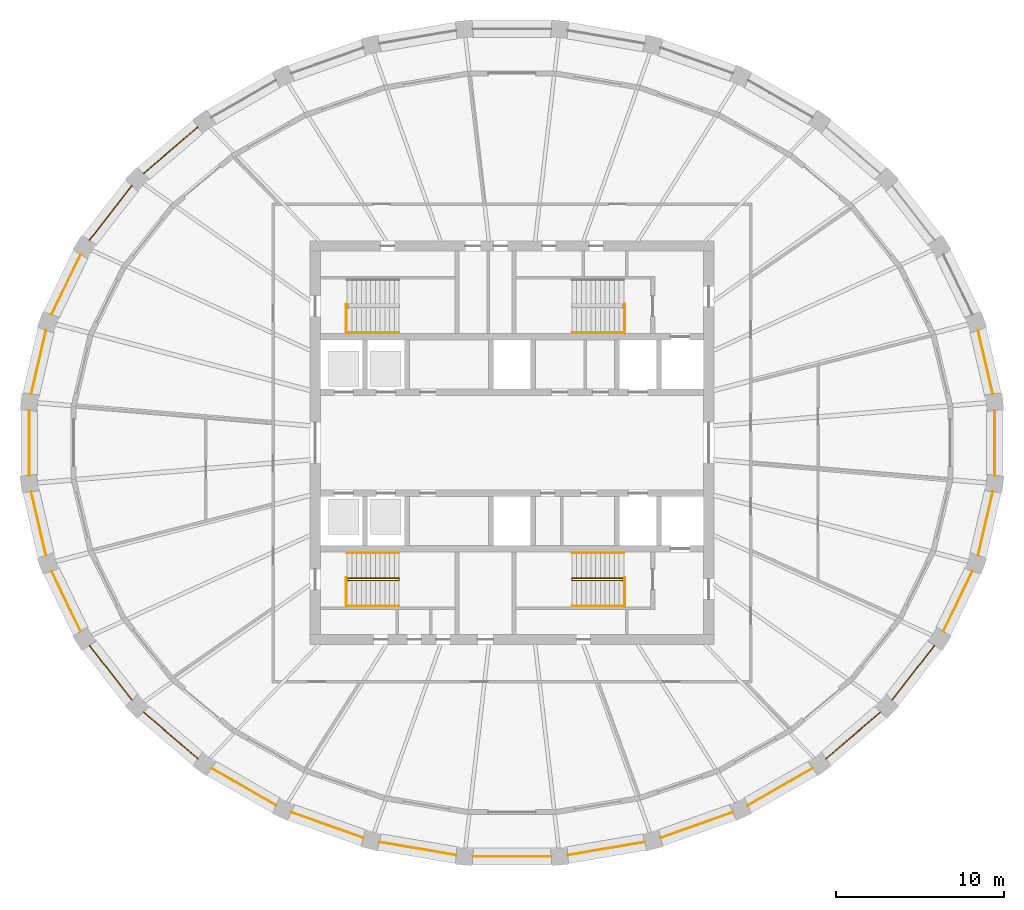
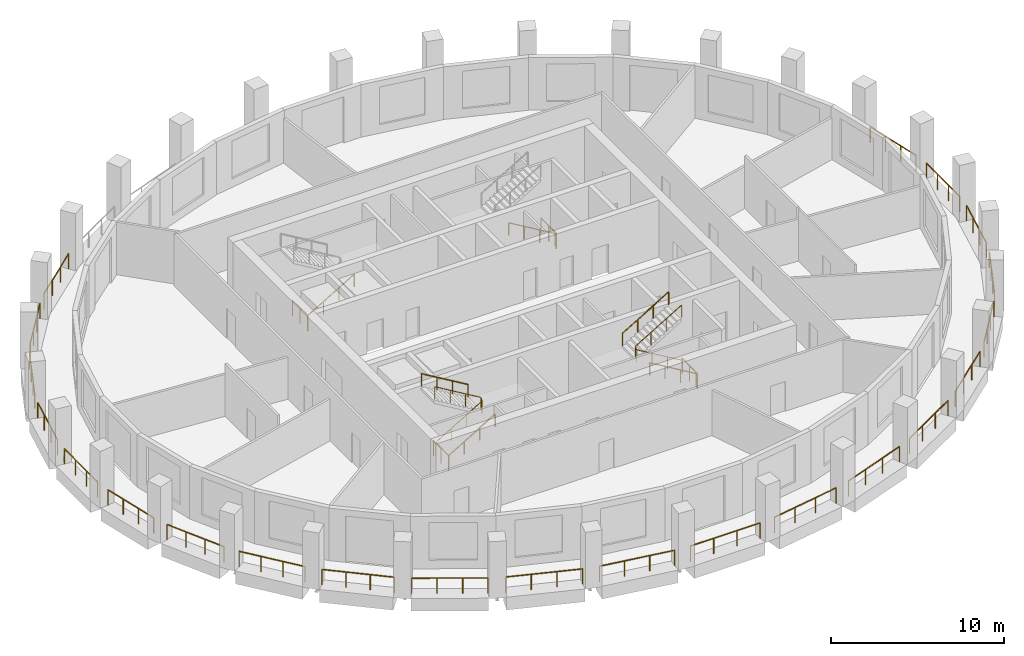
# One storey, part 8 of 10: 34 railings.
"""IFC4 building model written with IfcOpenShell, lengths in metres."""

from ifc_helpers import new_model, si_unit, direction, frame, origin, origin_2d, place, context, subcontext, project, spatial, circle, extrude, material, type_object, element, save


model = new_model("IFC4")

# Units and contexts
model_context = context("Model", 3, precision=1e-05, world=origin(), true_north=direction((0.0, 1.0)))
body_context = subcontext(model_context, "Body", "Model", "MODEL_VIEW")
ifc_project = project(units=[si_unit("LENGTHUNIT", "METRE"), si_unit("AREAUNIT", "SQUARE_METRE"), si_unit("VOLUMEUNIT", "CUBIC_METRE"), si_unit("PLANEANGLEUNIT", "RADIAN"), si_unit("MASSUNIT", "GRAM", prefix="KILO")], contexts=[model_context])

# Site, building, storey
site_placement = place(None, origin())
site = spatial("IfcSite", under=ifc_project, at=site_placement, CompositionType="ELEMENT")
building_placement = place(site_placement, origin())
building = spatial("IfcBuilding", under=site, at=building_placement, Name="Halqa Exchange Tower", CompositionType="ELEMENT")
storey_placement = place(building_placement, frame((0.0, 0.0, 304.300048828125)))
storey = spatial("IfcBuildingStorey", under=building, at=storey_placement, Name="L71", CompositionType="ELEMENT", Elevation=304.300048828125)

# Railings
ifc_material = material(Name="Stainless steel", Category="steel")
railing_type_1 = type_object("IfcRailingType", Name="Guard 1100 stainless steel", PredefinedType="GUARDRAIL", material=ifc_material)
railing_1_placement = place(storey_placement, frame((28.590087890625, 2.910400390625, 0.0)))
element("IfcRailing", 1, at=railing_1_placement, inside=storey, type_object=railing_type_1, Name="Loggia guard 1", PredefinedType="GUARDRAIL", context=body_context, shape_type="SweptSolid", body=[
    extrude(circle(Radius=0.02392578125, at=origin_2d()), frame((0.0, 0.0, 1.076171875), z_axis=(-0.226063591291, 0.974112546215, 0.0), x_axis=(-0.974112546215, -0.226063591291, 0.0)), (0.0, 0.0, 1.0), 3.879150390625),
    extrude(circle(Radius=0.02099609375, at=origin_2d()), origin(), (0.0, 0.0, 1.0), 1.052001953125),
    extrude(circle(Radius=0.02099609375, at=origin_2d()), frame((-0.292236328125, 1.259521484375, 0.0)), (0.0, 0.0, 1.0), 1.052001953125),
    extrude(circle(Radius=0.02099609375, at=origin_2d()), frame((-0.584716796875, 2.519287109375, 0.0)), (0.0, 0.0, 1.0), 1.052001953125),
    extrude(circle(Radius=0.02099609375, at=origin_2d()), frame((-0.876953125, 3.77880859375, 0.0)), (0.0, 0.0, 1.0), 1.052001953125),
])
railing_2_placement = place(storey_placement, frame((-18.6767578125, 18.784912109375, 0.0)))
element("IfcRailing", 2, at=railing_2_placement, inside=storey, type_object=railing_type_1, Name="Loggia guard 12", PredefinedType="GUARDRAIL", context=body_context, shape_type="SweptSolid", body=[
    extrude(circle(Radius=0.02392578125, at=origin_2d()), frame((0.0, 0.0, 1.076171875), z_axis=(-0.759252562376, -0.650796086747, 0.0), x_axis=(0.650796086747, -0.759252562376, 0.0)), (0.0, 0.0, 1.0), 4.265625),
    extrude(circle(Radius=0.02099609375, at=origin_2d()), origin(), (0.0, 0.0, 1.0), 1.052001953125),
    extrude(circle(Radius=0.02099609375, at=origin_2d()), frame((-1.07958984375, -0.92529296875, 0.0)), (0.0, 0.0, 1.0), 1.052001953125),
    extrude(circle(Radius=0.02099609375, at=origin_2d()), frame((-2.1591796875, -1.850830078125, 0.0)), (0.0, 0.0, 1.0), 1.052001953125),
    extrude(circle(Radius=0.02099609375, at=origin_2d()), frame((-3.23876953125, -2.776123046875, 0.0)), (0.0, 0.0, 1.0), 1.052001953125),
])
railing_3_placement = place(storey_placement, frame((-22.6025390625, 15.2890625, 0.0)))
element("IfcRailing", 3, at=railing_3_placement, inside=storey, type_object=railing_type_1, Name="Loggia guard 13", PredefinedType="GUARDRAIL", context=body_context, shape_type="SweptSolid", body=[
    extrude(circle(Radius=0.02392578125, at=origin_2d()), frame((0.0, 0.0, 1.076171875), z_axis=(-0.614828624777, -0.78866073958, 0.0), x_axis=(0.78866073958, -0.614828624777, 0.0)), (0.0, 0.0, 1.0), 4.109375),
    extrude(circle(Radius=0.02099609375, at=origin_2d()), origin(), (0.0, 0.0, 1.0), 1.052001953125),
    extrude(circle(Radius=0.02099609375, at=origin_2d()), frame((-0.84228515625, -1.080322265625, 0.0)), (0.0, 0.0, 1.0), 1.052001953125),
    extrude(circle(Radius=0.02099609375, at=origin_2d()), frame((-1.684326171875, -2.16064453125, 0.0)), (0.0, 0.0, 1.0), 1.052001953125),
    extrude(circle(Radius=0.02099609375, at=origin_2d()), frame((-2.526611328125, -3.240966796875, 0.0)), (0.0, 0.0, 1.0), 1.052001953125),
])
railing_4_placement = place(storey_placement, frame((-25.654052734375, 11.20361328125, 0.0)))
element("IfcRailing", 4, at=railing_4_placement, inside=storey, type_object=railing_type_1, Name="Loggia guard 14", PredefinedType="GUARDRAIL", context=body_context, shape_type="SweptSolid", body=[
    extrude(circle(Radius=0.02392578125, at=origin_2d()), frame((0.0, 0.0, 1.076171875), z_axis=(-0.435103066542, -0.90038065366, 0.0), x_axis=(0.90038065366, -0.435103066542, 0.0)), (0.0, 0.0, 1.0), 3.97265625),
    extrude(circle(Radius=0.02099609375, at=origin_2d()), origin(), (0.0, 0.0, 1.0), 1.052001953125),
    extrude(circle(Radius=0.02099609375, at=origin_2d()), frame((-0.576171875, -1.1923828125, 0.0)), (0.0, 0.0, 1.0), 1.052001953125),
    extrude(circle(Radius=0.02099609375, at=origin_2d()), frame((-1.15234375, -2.384521484375, 0.0)), (0.0, 0.0, 1.0), 1.052001953125),
    extrude(circle(Radius=0.02099609375, at=origin_2d()), frame((-1.728515625, -3.576904296875, 0.0)), (0.0, 0.0, 1.0), 1.052001953125),
])
railing_5_placement = place(storey_placement, frame((-27.713134765625, 6.689208984375, 0.0)))
element("IfcRailing", 5, at=railing_5_placement, inside=storey, type_object=railing_type_1, Name="Loggia guard 15", PredefinedType="GUARDRAIL", context=body_context, shape_type="SweptSolid", body=[
    extrude(circle(Radius=0.02392578125, at=origin_2d()), frame((0.0, 0.0, 1.076171875), z_axis=(-0.226063591291, -0.974112546215, 0.0), x_axis=(0.974112546215, -0.226063591291, 0.0)), (0.0, 0.0, 1.0), 3.879150390625),
    extrude(circle(Radius=0.02099609375, at=origin_2d()), origin(), (0.0, 0.0, 1.0), 1.052001953125),
    extrude(circle(Radius=0.02099609375, at=origin_2d()), frame((-0.292236328125, -1.259521484375, 0.0)), (0.0, 0.0, 1.0), 1.052001953125),
    extrude(circle(Radius=0.02099609375, at=origin_2d()), frame((-0.584716796875, -2.519287109375, 0.0)), (0.0, 0.0, 1.0), 1.052001953125),
    extrude(circle(Radius=0.02099609375, at=origin_2d()), frame((-0.876953125, -3.77880859375, 0.0)), (0.0, 0.0, 1.0), 1.052001953125),
])
railing_6_placement = place(storey_placement, frame((-28.703125, 1.923095703125, 0.0)))
element("IfcRailing", 6, at=railing_6_placement, inside=storey, type_object=railing_type_1, Name="Loggia guard 16", PredefinedType="GUARDRAIL", context=body_context, shape_type="SweptSolid", body=[
    extrude(circle(Radius=0.02392578125, at=origin_2d()), frame((0.0, 0.0, 1.076171875), z_axis=(0.0, -1.0, 0.0), x_axis=(1.0, 0.0, 0.0)), (0.0, 0.0, 1.0), 3.84619140625),
    extrude(circle(Radius=0.02099609375, at=origin_2d()), origin(), (0.0, 0.0, 1.0), 1.052001953125),
    extrude(circle(Radius=0.02099609375, at=origin_2d()), frame((0.0, -1.281982421875, 0.0)), (0.0, 0.0, 1.0), 1.052001953125),
    extrude(circle(Radius=0.02099609375, at=origin_2d()), frame((0.0, -2.564208984375, 0.0)), (0.0, 0.0, 1.0), 1.052001953125),
    extrude(circle(Radius=0.02099609375, at=origin_2d()), frame((0.0, -3.84619140625, 0.0)), (0.0, 0.0, 1.0), 1.052001953125),
])
railing_7_placement = place(storey_placement, frame((-28.590087890625, -2.910400390625, 0.0)))
element("IfcRailing", 7, at=railing_7_placement, inside=storey, type_object=railing_type_1, Name="Loggia guard 17", PredefinedType="GUARDRAIL", context=body_context, shape_type="SweptSolid", body=[
    extrude(circle(Radius=0.02392578125, at=origin_2d()), frame((0.0, 0.0, 1.076171875), z_axis=(0.226063591291, -0.974112546215, 0.0), x_axis=(0.974112546215, 0.226063591291, 0.0)), (0.0, 0.0, 1.0), 3.879150390625),
    extrude(circle(Radius=0.02099609375, at=origin_2d()), origin(), (0.0, 0.0, 1.0), 1.052001953125),
    extrude(circle(Radius=0.02099609375, at=origin_2d()), frame((0.292236328125, -1.259521484375, 0.0)), (0.0, 0.0, 1.0), 1.052001953125),
    extrude(circle(Radius=0.02099609375, at=origin_2d()), frame((0.584716796875, -2.519287109375, 0.0)), (0.0, 0.0, 1.0), 1.052001953125),
    extrude(circle(Radius=0.02099609375, at=origin_2d()), frame((0.876953125, -3.77880859375, 0.0)), (0.0, 0.0, 1.0), 1.052001953125),
])
railing_8_placement = place(storey_placement, frame((-27.382568359375, -7.626708984375, 0.0)))
element("IfcRailing", 8, at=railing_8_placement, inside=storey, type_object=railing_type_1, Name="Loggia guard 18", PredefinedType="GUARDRAIL", context=body_context, shape_type="SweptSolid", body=[
    extrude(circle(Radius=0.02392578125, at=origin_2d()), frame((0.0, 0.0, 1.076171875), z_axis=(0.435103066542, -0.90038065366, 0.0), x_axis=(0.90038065366, 0.435103066542, 0.0)), (0.0, 0.0, 1.0), 3.97265625),
    extrude(circle(Radius=0.02099609375, at=origin_2d()), origin(), (0.0, 0.0, 1.0), 1.052001953125),
    extrude(circle(Radius=0.02099609375, at=origin_2d()), frame((0.576171875, -1.1923828125, 0.0)), (0.0, 0.0, 1.0), 1.052001953125),
    extrude(circle(Radius=0.02099609375, at=origin_2d()), frame((1.15234375, -2.384521484375, 0.0)), (0.0, 0.0, 1.0), 1.052001953125),
    extrude(circle(Radius=0.02099609375, at=origin_2d()), frame((1.728515625, -3.576904296875, 0.0)), (0.0, 0.0, 1.0), 1.052001953125),
])
railing_9_placement = place(storey_placement, frame((-25.129150390625, -12.048095703125, 0.0)))
element("IfcRailing", 9, at=railing_9_placement, inside=storey, type_object=railing_type_1, Name="Loggia guard 19", PredefinedType="GUARDRAIL", context=body_context, shape_type="SweptSolid", body=[
    extrude(circle(Radius=0.02392578125, at=origin_2d()), frame((0.0, 0.0, 1.076171875), z_axis=(0.614828624777, -0.78866073958, 0.0), x_axis=(0.78866073958, 0.614828624777, 0.0)), (0.0, 0.0, 1.0), 4.109375),
    extrude(circle(Radius=0.02099609375, at=origin_2d()), origin(), (0.0, 0.0, 1.0), 1.052001953125),
    extrude(circle(Radius=0.02099609375, at=origin_2d()), frame((0.84228515625, -1.080322265625, 0.0)), (0.0, 0.0, 1.0), 1.052001953125),
    extrude(circle(Radius=0.02099609375, at=origin_2d()), frame((1.684326171875, -2.16064453125, 0.0)), (0.0, 0.0, 1.0), 1.052001953125),
    extrude(circle(Radius=0.02099609375, at=origin_2d()), frame((2.526611328125, -3.240966796875, 0.0)), (0.0, 0.0, 1.0), 1.052001953125),
])
railing_10_placement = place(storey_placement, frame((-21.91552734375, -16.0087890625, 0.0)))
element("IfcRailing", 10, at=railing_10_placement, inside=storey, type_object=railing_type_1, Name="Loggia guard 20", PredefinedType="GUARDRAIL", context=body_context, shape_type="SweptSolid", body=[
    extrude(circle(Radius=0.02392578125, at=origin_2d()), frame((0.0, 0.0, 1.076171875), z_axis=(0.759252562376, -0.650796086747, 0.0), x_axis=(0.650796086747, 0.759252562376, 0.0)), (0.0, 0.0, 1.0), 4.265625),
    extrude(circle(Radius=0.02099609375, at=origin_2d()), origin(), (0.0, 0.0, 1.0), 1.052001953125),
    extrude(circle(Radius=0.02099609375, at=origin_2d()), frame((1.07958984375, -0.92529296875, 0.0)), (0.0, 0.0, 1.0), 1.052001953125),
    extrude(circle(Radius=0.02099609375, at=origin_2d()), frame((2.1591796875, -1.850830078125, 0.0)), (0.0, 0.0, 1.0), 1.052001953125),
    extrude(circle(Radius=0.02099609375, at=origin_2d()), frame((3.23876953125, -2.776123046875, 0.0)), (0.0, 0.0, 1.0), 1.052001953125),
])
railing_11_placement = place(storey_placement, frame((-17.86328125, -19.358642578125, 0.0)))
element("IfcRailing", 11, at=railing_11_placement, inside=storey, type_object=railing_type_1, Name="Loggia guard 21", PredefinedType="GUARDRAIL", context=body_context, shape_type="SweptSolid", body=[
    extrude(circle(Radius=0.02392578125, at=origin_2d()), frame((0.0, 0.0, 1.076171875), z_axis=(0.867742750066, -0.49701360113, 0.0), x_axis=(0.49701360113, 0.867742750066, 0.0)), (0.0, 0.0, 1.0), 4.41748046875),
    extrude(circle(Radius=0.02099609375, at=origin_2d()), origin(), (0.0, 0.0, 1.0), 1.052001953125),
    extrude(circle(Radius=0.02099609375, at=origin_2d()), frame((1.27783203125, -0.73193359375, 0.0)), (0.0, 0.0, 1.0), 1.052001953125),
    extrude(circle(Radius=0.02099609375, at=origin_2d()), frame((2.555419921875, -1.463623046875, 0.0)), (0.0, 0.0, 1.0), 1.052001953125),
    extrude(circle(Radius=0.02099609375, at=origin_2d()), frame((3.833251953125, -2.195556640625, 0.0)), (0.0, 0.0, 1.0), 1.052001953125),
])
railing_12_placement = place(storey_placement, frame((-13.125, -21.969970703125, 0.0)))
element("IfcRailing", 12, at=railing_12_placement, inside=storey, type_object=railing_type_1, Name="Loggia guard 22", PredefinedType="GUARDRAIL", context=body_context, shape_type="SweptSolid", body=[
    extrude(circle(Radius=0.02392578125, at=origin_2d()), frame((0.0, 0.0, 1.076171875), z_axis=(0.9423736492, -0.334562259219, 0.0), x_axis=(0.334562259219, 0.9423736492, 0.0)), (0.0, 0.0, 1.0), 4.543212890625),
    extrude(circle(Radius=0.02099609375, at=origin_2d()), origin(), (0.0, 0.0, 1.0), 1.052001953125),
    extrude(circle(Radius=0.02099609375, at=origin_2d()), frame((1.42724609375, -0.506591796875, 0.0)), (0.0, 0.0, 1.0), 1.052001953125),
    extrude(circle(Radius=0.02099609375, at=origin_2d()), frame((2.854248046875, -1.013427734375, 0.0)), (0.0, 0.0, 1.0), 1.052001953125),
    extrude(circle(Radius=0.02099609375, at=origin_2d()), frame((4.281494140625, -1.52001953125, 0.0)), (0.0, 0.0, 1.0), 1.052001953125),
])
railing_13_placement = place(storey_placement, frame((-7.87939453125, -23.7412109375, 0.0)))
element("IfcRailing", 13, at=railing_13_placement, inside=storey, type_object=railing_type_1, Name="Loggia guard 23", PredefinedType="GUARDRAIL", context=body_context, shape_type="SweptSolid", body=[
    extrude(circle(Radius=0.02392578125, at=origin_2d()), frame((0.0, 0.0, 1.076171875), z_axis=(0.985767803326, -0.168112575155, 0.0), x_axis=(0.168112575155, 0.985767803326, 0.0)), (0.0, 0.0, 1.0), 4.62548828125),
    extrude(circle(Radius=0.02099609375, at=origin_2d()), origin(), (0.0, 0.0, 1.0), 1.052001953125),
    extrude(circle(Radius=0.02099609375, at=origin_2d()), frame((1.519775390625, -0.25927734375, 0.0)), (0.0, 0.0, 1.0), 1.052001953125),
    extrude(circle(Radius=0.02099609375, at=origin_2d()), frame((3.039794921875, -0.518310546875, 0.0)), (0.0, 0.0, 1.0), 1.052001953125),
    extrude(circle(Radius=0.02099609375, at=origin_2d()), frame((4.5595703125, -0.777587890625, 0.0)), (0.0, 0.0, 1.0), 1.052001953125),
])
railing_14_placement = place(storey_placement, frame((-2.326904296875, -24.602783203125, 0.0)))
element("IfcRailing", 14, at=railing_14_placement, inside=storey, type_object=railing_type_1, Name="Loggia guard 24", PredefinedType="GUARDRAIL", context=body_context, shape_type="SweptSolid", body=[
    extrude(circle(Radius=0.02392578125, at=origin_2d()), frame((0.0, 0.0, 1.076171875), z_axis=(1.0, 0.0, 0.0), x_axis=(0.0, 1.0, 0.0)), (0.0, 0.0, 1.0), 4.65380859375),
    extrude(circle(Radius=0.02099609375, at=origin_2d()), origin(), (0.0, 0.0, 1.0), 1.052001953125),
    extrude(circle(Radius=0.02099609375, at=origin_2d()), frame((1.55126953125, 0.0, 0.0)), (0.0, 0.0, 1.0), 1.052001953125),
    extrude(circle(Radius=0.02099609375, at=origin_2d()), frame((3.1025390625, 0.0, 0.0)), (0.0, 0.0, 1.0), 1.052001953125),
    extrude(circle(Radius=0.02099609375, at=origin_2d()), frame((4.65380859375, 0.0, 0.0)), (0.0, 0.0, 1.0), 1.052001953125),
])
railing_15_placement = place(storey_placement, frame((3.31982421875, -24.518798828125, 0.0)))
element("IfcRailing", 15, at=railing_15_placement, inside=storey, type_object=railing_type_1, Name="Loggia guard 25", PredefinedType="GUARDRAIL", context=body_context, shape_type="SweptSolid", body=[
    extrude(circle(Radius=0.02392578125, at=origin_2d()), frame((0.0, 0.0, 1.076171875), z_axis=(0.985767803326, 0.168112575155, 0.0), x_axis=(-0.168112575155, 0.985767803326, 0.0)), (0.0, 0.0, 1.0), 4.62548828125),
    extrude(circle(Radius=0.02099609375, at=origin_2d()), origin(), (0.0, 0.0, 1.0), 1.052001953125),
    extrude(circle(Radius=0.02099609375, at=origin_2d()), frame((1.519775390625, 0.25927734375, 0.0)), (0.0, 0.0, 1.0), 1.052001953125),
    extrude(circle(Radius=0.02099609375, at=origin_2d()), frame((3.039794921875, 0.518310546875, 0.0)), (0.0, 0.0, 1.0), 1.052001953125),
    extrude(circle(Radius=0.02099609375, at=origin_2d()), frame((4.5595703125, 0.777587890625, 0.0)), (0.0, 0.0, 1.0), 1.052001953125),
])
railing_16_placement = place(storey_placement, frame((8.843505859375, -23.489990234375, 0.0)))
element("IfcRailing", 16, at=railing_16_placement, inside=storey, type_object=railing_type_1, Name="Loggia guard 26", PredefinedType="GUARDRAIL", context=body_context, shape_type="SweptSolid", body=[
    extrude(circle(Radius=0.02392578125, at=origin_2d()), frame((0.0, 0.0, 1.076171875), z_axis=(0.9423736492, 0.334562259219, 0.0), x_axis=(-0.334562259219, 0.9423736492, 0.0)), (0.0, 0.0, 1.0), 4.543212890625),
    extrude(circle(Radius=0.02099609375, at=origin_2d()), origin(), (0.0, 0.0, 1.0), 1.052001953125),
    extrude(circle(Radius=0.02099609375, at=origin_2d()), frame((1.42724609375, 0.506591796875, 0.0)), (0.0, 0.0, 1.0), 1.052001953125),
    extrude(circle(Radius=0.02099609375, at=origin_2d()), frame((2.854248046875, 1.013427734375, 0.0)), (0.0, 0.0, 1.0), 1.052001953125),
    extrude(circle(Radius=0.02099609375, at=origin_2d()), frame((4.281494140625, 1.52001953125, 0.0)), (0.0, 0.0, 1.0), 1.052001953125),
])
railing_17_placement = place(storey_placement, frame((14.030029296875, -21.55419921875, 0.0)))
element("IfcRailing", 17, at=railing_17_placement, inside=storey, type_object=railing_type_1, Name="Loggia guard 27", PredefinedType="GUARDRAIL", context=body_context, shape_type="SweptSolid", body=[
    extrude(circle(Radius=0.02392578125, at=origin_2d()), frame((0.0, 0.0, 1.076171875), z_axis=(0.867742750066, 0.49701360113, 0.0), x_axis=(-0.49701360113, 0.867742750066, 0.0)), (0.0, 0.0, 1.0), 4.41748046875),
    extrude(circle(Radius=0.02099609375, at=origin_2d()), origin(), (0.0, 0.0, 1.0), 1.052001953125),
    extrude(circle(Radius=0.02099609375, at=origin_2d()), frame((1.27783203125, 0.73193359375, 0.0)), (0.0, 0.0, 1.0), 1.052001953125),
    extrude(circle(Radius=0.02099609375, at=origin_2d()), frame((2.555419921875, 1.463623046875, 0.0)), (0.0, 0.0, 1.0), 1.052001953125),
    extrude(circle(Radius=0.02099609375, at=origin_2d()), frame((3.833251953125, 2.195556640625, 0.0)), (0.0, 0.0, 1.0), 1.052001953125),
])
railing_18_placement = place(storey_placement, frame((18.6767578125, -18.784912109375, 0.0)))
element("IfcRailing", 18, at=railing_18_placement, inside=storey, type_object=railing_type_1, Name="Loggia guard 28", PredefinedType="GUARDRAIL", context=body_context, shape_type="SweptSolid", body=[
    extrude(circle(Radius=0.02392578125, at=origin_2d()), frame((0.0, 0.0, 1.076171875), z_axis=(0.759252562376, 0.650796086747, 0.0), x_axis=(-0.650796086747, 0.759252562376, 0.0)), (0.0, 0.0, 1.0), 4.265625),
    extrude(circle(Radius=0.02099609375, at=origin_2d()), origin(), (0.0, 0.0, 1.0), 1.052001953125),
    extrude(circle(Radius=0.02099609375, at=origin_2d()), frame((1.07958984375, 0.92529296875, 0.0)), (0.0, 0.0, 1.0), 1.052001953125),
    extrude(circle(Radius=0.02099609375, at=origin_2d()), frame((2.1591796875, 1.850830078125, 0.0)), (0.0, 0.0, 1.0), 1.052001953125),
    extrude(circle(Radius=0.02099609375, at=origin_2d()), frame((3.23876953125, 2.776123046875, 0.0)), (0.0, 0.0, 1.0), 1.052001953125),
])
railing_19_placement = place(storey_placement, frame((22.6025390625, -15.2890625, 0.0)))
element("IfcRailing", 19, at=railing_19_placement, inside=storey, type_object=railing_type_1, Name="Loggia guard 29", PredefinedType="GUARDRAIL", context=body_context, shape_type="SweptSolid", body=[
    extrude(circle(Radius=0.02392578125, at=origin_2d()), frame((0.0, 0.0, 1.076171875), z_axis=(0.614828624777, 0.78866073958, 0.0), x_axis=(-0.78866073958, 0.614828624777, 0.0)), (0.0, 0.0, 1.0), 4.109375),
    extrude(circle(Radius=0.02099609375, at=origin_2d()), origin(), (0.0, 0.0, 1.0), 1.052001953125),
    extrude(circle(Radius=0.02099609375, at=origin_2d()), frame((0.84228515625, 1.080322265625, 0.0)), (0.0, 0.0, 1.0), 1.052001953125),
    extrude(circle(Radius=0.02099609375, at=origin_2d()), frame((1.684326171875, 2.16064453125, 0.0)), (0.0, 0.0, 1.0), 1.052001953125),
    extrude(circle(Radius=0.02099609375, at=origin_2d()), frame((2.526611328125, 3.240966796875, 0.0)), (0.0, 0.0, 1.0), 1.052001953125),
])
railing_20_placement = place(storey_placement, frame((25.654052734375, -11.20361328125, 0.0)))
element("IfcRailing", 20, at=railing_20_placement, inside=storey, type_object=railing_type_1, Name="Loggia guard 30", PredefinedType="GUARDRAIL", context=body_context, shape_type="SweptSolid", body=[
    extrude(circle(Radius=0.02392578125, at=origin_2d()), frame((0.0, 0.0, 1.076171875), z_axis=(0.435103066542, 0.90038065366, 0.0), x_axis=(-0.90038065366, 0.435103066542, 0.0)), (0.0, 0.0, 1.0), 3.97265625),
    extrude(circle(Radius=0.02099609375, at=origin_2d()), origin(), (0.0, 0.0, 1.0), 1.052001953125),
    extrude(circle(Radius=0.02099609375, at=origin_2d()), frame((0.576171875, 1.1923828125, 0.0)), (0.0, 0.0, 1.0), 1.052001953125),
    extrude(circle(Radius=0.02099609375, at=origin_2d()), frame((1.15234375, 2.384521484375, 0.0)), (0.0, 0.0, 1.0), 1.052001953125),
    extrude(circle(Radius=0.02099609375, at=origin_2d()), frame((1.728515625, 3.576904296875, 0.0)), (0.0, 0.0, 1.0), 1.052001953125),
])
railing_21_placement = place(storey_placement, frame((27.713134765625, -6.689208984375, 0.0)))
element("IfcRailing", 21, at=railing_21_placement, inside=storey, type_object=railing_type_1, Name="Loggia guard 31", PredefinedType="GUARDRAIL", context=body_context, shape_type="SweptSolid", body=[
    extrude(circle(Radius=0.02392578125, at=origin_2d()), frame((0.0, 0.0, 1.076171875), z_axis=(0.226063591291, 0.974112546215, 0.0), x_axis=(-0.974112546215, 0.226063591291, 0.0)), (0.0, 0.0, 1.0), 3.879150390625),
    extrude(circle(Radius=0.02099609375, at=origin_2d()), origin(), (0.0, 0.0, 1.0), 1.052001953125),
    extrude(circle(Radius=0.02099609375, at=origin_2d()), frame((0.292236328125, 1.259521484375, 0.0)), (0.0, 0.0, 1.0), 1.052001953125),
    extrude(circle(Radius=0.02099609375, at=origin_2d()), frame((0.584716796875, 2.519287109375, 0.0)), (0.0, 0.0, 1.0), 1.052001953125),
    extrude(circle(Radius=0.02099609375, at=origin_2d()), frame((0.876953125, 3.77880859375, 0.0)), (0.0, 0.0, 1.0), 1.052001953125),
])
railing_22_placement = place(storey_placement, frame((28.703125, -1.923095703125, 0.0)))
element("IfcRailing", 22, at=railing_22_placement, inside=storey, type_object=railing_type_1, Name="Loggia guard 32", PredefinedType="GUARDRAIL", context=body_context, shape_type="SweptSolid", body=[
    extrude(circle(Radius=0.02392578125, at=origin_2d()), frame((0.0, 0.0, 1.076171875), z_axis=(0.0, 1.0, 0.0), x_axis=(-1.0, 0.0, 0.0)), (0.0, 0.0, 1.0), 3.84619140625),
    extrude(circle(Radius=0.02099609375, at=origin_2d()), origin(), (0.0, 0.0, 1.0), 1.052001953125),
    extrude(circle(Radius=0.02099609375, at=origin_2d()), frame((0.0, 1.281982421875, 0.0)), (0.0, 0.0, 1.0), 1.052001953125),
    extrude(circle(Radius=0.02099609375, at=origin_2d()), frame((0.0, 2.564208984375, 0.0)), (0.0, 0.0, 1.0), 1.052001953125),
    extrude(circle(Radius=0.02099609375, at=origin_2d()), frame((0.0, 3.84619140625, 0.0)), (0.0, 0.0, 1.0), 1.052001953125),
])
railing_type_2 = type_object("IfcRailingType", Name="Stair handrail 900", PredefinedType="HANDRAIL", material=ifc_material)
railing_23_placement = place(storey_placement, frame((-9.800048828125, 6.550048828125, 0.166748046875)))
element("IfcRailing", 23, at=railing_23_placement, inside=storey, type_object=railing_type_2, Name="Handrail ST1.2", PredefinedType="HANDRAIL", context=body_context, shape_type="SweptSolid", body=[
    extrude(circle(Radius=0.02392578125, at=origin_2d()), frame((0.0, 0.0, 0.8759765625), z_axis=(0.859308565015, 0.0, 0.511457515432), x_axis=(0.0, 1.0, 0.0)), (0.0, 0.0, 1.0), 3.58447265625),
    extrude(circle(Radius=0.02099609375, at=origin_2d()), origin(), (0.0, 0.0, 1.0), 0.851806640625),
    extrude(circle(Radius=0.02099609375, at=origin_2d()), frame((1.026611328125, 0.0, 0.611083984375)), (0.0, 0.0, 1.0), 0.851806640625),
    extrude(circle(Radius=0.02099609375, at=origin_2d()), frame((2.053466796875, 0.0, 1.22216796875)), (0.0, 0.0, 1.0), 0.851806640625),
    extrude(circle(Radius=0.02099609375, at=origin_2d()), frame((3.080078125, 0.0, 1.833251953125)), (0.0, 0.0, 1.0), 0.851806640625),
])
railing_24_placement = place(storey_placement, frame((6.64990234375, 6.550048828125, 0.166748046875)))
element("IfcRailing", 24, at=railing_24_placement, inside=storey, type_object=railing_type_2, Name="Handrail ST2.2", PredefinedType="HANDRAIL", context=body_context, shape_type="SweptSolid", body=[
    extrude(circle(Radius=0.02392578125, at=origin_2d()), frame((0.0, 0.0, 0.8759765625), z_axis=(-0.859290745958, 0.0, 0.51148745235), x_axis=(0.0, -1.0, 0.0)), (0.0, 0.0, 1.0), 3.584228515625),
    extrude(circle(Radius=0.02099609375, at=origin_2d()), origin(), (0.0, 0.0, 1.0), 0.851806640625),
    extrude(circle(Radius=0.02099609375, at=origin_2d()), frame((-1.026611328125, 0.0, 0.611083984375)), (0.0, 0.0, 1.0), 0.851806640625),
    extrude(circle(Radius=0.02099609375, at=origin_2d()), frame((-2.05322265625, 0.0, 1.22216796875)), (0.0, 0.0, 1.0), 0.851806640625),
    extrude(circle(Radius=0.02099609375, at=origin_2d()), frame((-3.079833984375, 0.0, 1.833251953125)), (0.0, 0.0, 1.0), 0.851806640625),
])
railing_25_placement = place(storey_placement, frame((-9.800048828125, -8.18994140625, 0.166748046875)))
element("IfcRailing", 25, at=railing_25_placement, inside=storey, type_object=railing_type_2, Name="Handrail ST3.1", PredefinedType="HANDRAIL", context=body_context, shape_type="SweptSolid", body=[
    extrude(circle(Radius=0.02392578125, at=origin_2d()), frame((0.0, 0.0, 0.8759765625), z_axis=(0.859308565015, 0.0, 0.511457515432), x_axis=(0.0, 1.0, 0.0)), (0.0, 0.0, 1.0), 3.58447265625),
    extrude(circle(Radius=0.02392578125, at=origin_2d()), frame((3.080078125, 0.0, 2.708984375), z_axis=(0.0, 0.614500226555, 0.788916644243), x_axis=(-1.0, 0.0, 0.0)), (0.0, 0.0, 1.0), 0.21142578125),
    extrude(circle(Radius=0.02392578125, at=origin_2d()), frame((3.080078125, 0.1298828125, 2.8759765625), z_axis=(-0.859308565015, 0.0, 0.511457515432), x_axis=(0.0, -1.0, 0.0)), (0.0, 0.0, 1.0), 3.58447265625),
    extrude(circle(Radius=0.02099609375, at=origin_2d()), origin(), (0.0, 0.0, 1.0), 0.851806640625),
    extrude(circle(Radius=0.02099609375, at=origin_2d()), frame((1.026611328125, 0.0, 0.611083984375)), (0.0, 0.0, 1.0), 0.851806640625),
    extrude(circle(Radius=0.02099609375, at=origin_2d()), frame((2.053466796875, 0.0, 1.22216796875)), (0.0, 0.0, 1.0), 0.851806640625),
    extrude(circle(Radius=0.02099609375, at=origin_2d()), frame((3.080078125, 0.0, 1.833251953125)), (0.0, 0.0, 1.0), 0.851806640625),
    extrude(circle(Radius=0.02099609375, at=origin_2d()), frame((3.080078125, 0.1298828125, 2.0)), (0.0, 0.0, 1.0), 0.851806640625),
    extrude(circle(Radius=0.02099609375, at=origin_2d()), frame((2.053466796875, 0.1298828125, 2.611083984375)), (0.0, 0.0, 1.0), 0.851806640625),
    extrude(circle(Radius=0.02099609375, at=origin_2d()), frame((1.026611328125, 0.1298828125, 3.22216796875)), (0.0, 0.0, 1.0), 0.851806640625),
    extrude(circle(Radius=0.02099609375, at=origin_2d()), frame((0.0, 0.1298828125, 3.833251953125)), (0.0, 0.0, 1.0), 0.851806640625),
])
railing_26_placement = place(storey_placement, frame((-9.800048828125, -9.699951171875, 0.166748046875)))
element("IfcRailing", 26, at=railing_26_placement, inside=storey, type_object=railing_type_2, Name="Handrail ST3.2", PredefinedType="HANDRAIL", context=body_context, shape_type="SweptSolid", body=[
    extrude(circle(Radius=0.02392578125, at=origin_2d()), frame((0.0, 0.0, 0.8759765625), z_axis=(0.859308565015, 0.0, 0.511457515432), x_axis=(0.0, 1.0, 0.0)), (0.0, 0.0, 1.0), 3.58447265625),
    extrude(circle(Radius=0.02099609375, at=origin_2d()), origin(), (0.0, 0.0, 1.0), 0.851806640625),
    extrude(circle(Radius=0.02099609375, at=origin_2d()), frame((1.026611328125, 0.0, 0.611083984375)), (0.0, 0.0, 1.0), 0.851806640625),
    extrude(circle(Radius=0.02099609375, at=origin_2d()), frame((2.053466796875, 0.0, 1.22216796875)), (0.0, 0.0, 1.0), 0.851806640625),
    extrude(circle(Radius=0.02099609375, at=origin_2d()), frame((3.080078125, 0.0, 1.833251953125)), (0.0, 0.0, 1.0), 0.851806640625),
])
railing_27_placement = place(storey_placement, frame((-6.719970703125, -6.550048828125, 2.166748046875)))
element("IfcRailing", 27, at=railing_27_placement, inside=storey, type_object=railing_type_2, Name="Handrail ST3.3", PredefinedType="HANDRAIL", context=body_context, shape_type="SweptSolid", body=[
    extrude(circle(Radius=0.02392578125, at=origin_2d()), frame((0.0, 0.0, 0.8759765625), z_axis=(-0.859308565015, 0.0, 0.511457515432), x_axis=(0.0, -1.0, 0.0)), (0.0, 0.0, 1.0), 3.58447265625),
    extrude(circle(Radius=0.02099609375, at=origin_2d()), origin(), (0.0, 0.0, 1.0), 0.851806640625),
    extrude(circle(Radius=0.02099609375, at=origin_2d()), frame((-1.026611328125, 0.0, 0.611083984375)), (0.0, 0.0, 1.0), 0.851806640625),
    extrude(circle(Radius=0.02099609375, at=origin_2d()), frame((-2.053466796875, 0.0, 1.22216796875)), (0.0, 0.0, 1.0), 0.851806640625),
    extrude(circle(Radius=0.02099609375, at=origin_2d()), frame((-3.080078125, 0.0, 1.833251953125)), (0.0, 0.0, 1.0), 0.851806640625),
])
railing_28_placement = place(storey_placement, frame((6.64990234375, -8.18994140625, 0.166748046875)))
element("IfcRailing", 28, at=railing_28_placement, inside=storey, type_object=railing_type_2, Name="Handrail ST4.1", PredefinedType="HANDRAIL", context=body_context, shape_type="SweptSolid", body=[
    extrude(circle(Radius=0.02392578125, at=origin_2d()), frame((0.0, 0.0, 0.8759765625), z_axis=(-0.859290745958, 0.0, 0.51148745235), x_axis=(0.0, -1.0, 0.0)), (0.0, 0.0, 1.0), 3.584228515625),
    extrude(circle(Radius=0.02392578125, at=origin_2d()), frame((-3.079833984375, 0.0, 2.708984375), z_axis=(0.0, 0.614500226555, 0.788916644243), x_axis=(-1.0, 0.0, 0.0)), (0.0, 0.0, 1.0), 0.21142578125),
    extrude(circle(Radius=0.02392578125, at=origin_2d()), frame((-3.079833984375, 0.1298828125, 2.8759765625), z_axis=(0.859290745958, 0.0, 0.51148745235), x_axis=(0.0, 1.0, 0.0)), (0.0, 0.0, 1.0), 3.584228515625),
    extrude(circle(Radius=0.02099609375, at=origin_2d()), origin(), (0.0, 0.0, 1.0), 0.851806640625),
    extrude(circle(Radius=0.02099609375, at=origin_2d()), frame((-1.026611328125, 0.0, 0.611083984375)), (0.0, 0.0, 1.0), 0.851806640625),
    extrude(circle(Radius=0.02099609375, at=origin_2d()), frame((-2.05322265625, 0.0, 1.22216796875)), (0.0, 0.0, 1.0), 0.851806640625),
    extrude(circle(Radius=0.02099609375, at=origin_2d()), frame((-3.079833984375, 0.0, 1.833251953125)), (0.0, 0.0, 1.0), 0.851806640625),
    extrude(circle(Radius=0.02099609375, at=origin_2d()), frame((-3.079833984375, 0.1298828125, 2.0)), (0.0, 0.0, 1.0), 0.851806640625),
    extrude(circle(Radius=0.02099609375, at=origin_2d()), frame((-2.05322265625, 0.1298828125, 2.611083984375)), (0.0, 0.0, 1.0), 0.851806640625),
    extrude(circle(Radius=0.02099609375, at=origin_2d()), frame((-1.026611328125, 0.1298828125, 3.22216796875)), (0.0, 0.0, 1.0), 0.851806640625),
    extrude(circle(Radius=0.02099609375, at=origin_2d()), frame((0.0, 0.1298828125, 3.833251953125)), (0.0, 0.0, 1.0), 0.851806640625),
])
railing_29_placement = place(storey_placement, frame((6.64990234375, -9.699951171875, 0.166748046875)))
element("IfcRailing", 29, at=railing_29_placement, inside=storey, type_object=railing_type_2, Name="Handrail ST4.2", PredefinedType="HANDRAIL", context=body_context, shape_type="SweptSolid", body=[
    extrude(circle(Radius=0.02392578125, at=origin_2d()), frame((0.0, 0.0, 0.8759765625), z_axis=(-0.859290745958, 0.0, 0.51148745235), x_axis=(0.0, -1.0, 0.0)), (0.0, 0.0, 1.0), 3.584228515625),
    extrude(circle(Radius=0.02099609375, at=origin_2d()), origin(), (0.0, 0.0, 1.0), 0.851806640625),
    extrude(circle(Radius=0.02099609375, at=origin_2d()), frame((-1.026611328125, 0.0, 0.611083984375)), (0.0, 0.0, 1.0), 0.851806640625),
    extrude(circle(Radius=0.02099609375, at=origin_2d()), frame((-2.05322265625, 0.0, 1.22216796875)), (0.0, 0.0, 1.0), 0.851806640625),
    extrude(circle(Radius=0.02099609375, at=origin_2d()), frame((-3.079833984375, 0.0, 1.833251953125)), (0.0, 0.0, 1.0), 0.851806640625),
])
railing_30_placement = place(storey_placement, frame((3.570068359375, -6.550048828125, 2.166748046875)))
element("IfcRailing", 30, at=railing_30_placement, inside=storey, type_object=railing_type_2, Name="Handrail ST4.3", PredefinedType="HANDRAIL", context=body_context, shape_type="SweptSolid", body=[
    extrude(circle(Radius=0.02392578125, at=origin_2d()), frame((0.0, 0.0, 0.8759765625), z_axis=(0.859290745958, 0.0, 0.51148745235), x_axis=(0.0, 1.0, 0.0)), (0.0, 0.0, 1.0), 3.584228515625),
    extrude(circle(Radius=0.02099609375, at=origin_2d()), origin(), (0.0, 0.0, 1.0), 0.851806640625),
    extrude(circle(Radius=0.02099609375, at=origin_2d()), frame((1.026611328125, 0.0, 0.611083984375)), (0.0, 0.0, 1.0), 0.851806640625),
    extrude(circle(Radius=0.02099609375, at=origin_2d()), frame((2.05322265625, 0.0, 1.22216796875)), (0.0, 0.0, 1.0), 0.851806640625),
    extrude(circle(Radius=0.02099609375, at=origin_2d()), frame((3.079833984375, 0.0, 1.833251953125)), (0.0, 0.0, 1.0), 0.851806640625),
])
railing_type_3 = type_object("IfcRailingType", Name="Stair well guard 1100", PredefinedType="GUARDRAIL", material=ifc_material)
for number, where, name in (
    (31, (-9.85009765625, 6.5, 0.0), "Guard ST1 well"),
    (32, (6.699951171875, 6.5, 0.0), "Guard ST2 well"),
    (33, (-9.85009765625, -9.75, 0.0), "Guard ST3 well"),
    (34, (6.699951171875, -9.75, 0.0), "Guard ST4 well"),
):
    element("IfcRailing", number, at=place(storey_placement, frame(where)), inside=storey, type_object=railing_type_3, Name=name, PredefinedType="GUARDRAIL", context=body_context, shape_type="SweptSolid", body=[
        extrude(circle(Radius=0.02392578125, at=origin_2d()), frame((0.0, 0.0, 1.076171875), z_axis=(0.0, 1.0, 0.0), x_axis=(-1.0, 0.0, 0.0)), (0.0, 0.0, 1.0), 1.75),
        extrude(circle(Radius=0.02099609375, at=origin_2d()), origin(), (0.0, 0.0, 1.0), 1.052001953125),
        extrude(circle(Radius=0.02099609375, at=origin_2d()), frame((0.0, 0.875, 0.0)), (0.0, 0.0, 1.0), 1.052001953125),
        extrude(circle(Radius=0.02099609375, at=origin_2d()), frame((0.0, 1.75, 0.0)), (0.0, 0.0, 1.0), 1.052001953125),
    ])

save(model, "model.ifc")
